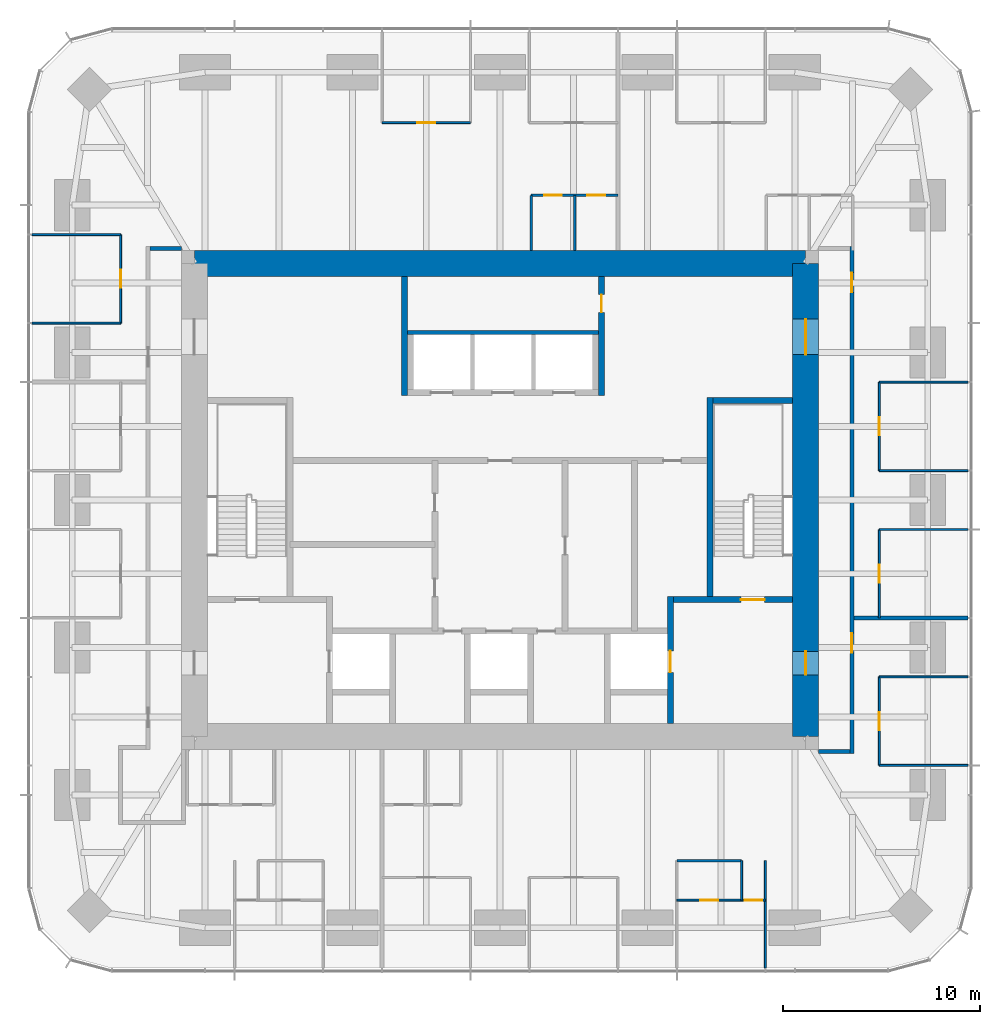
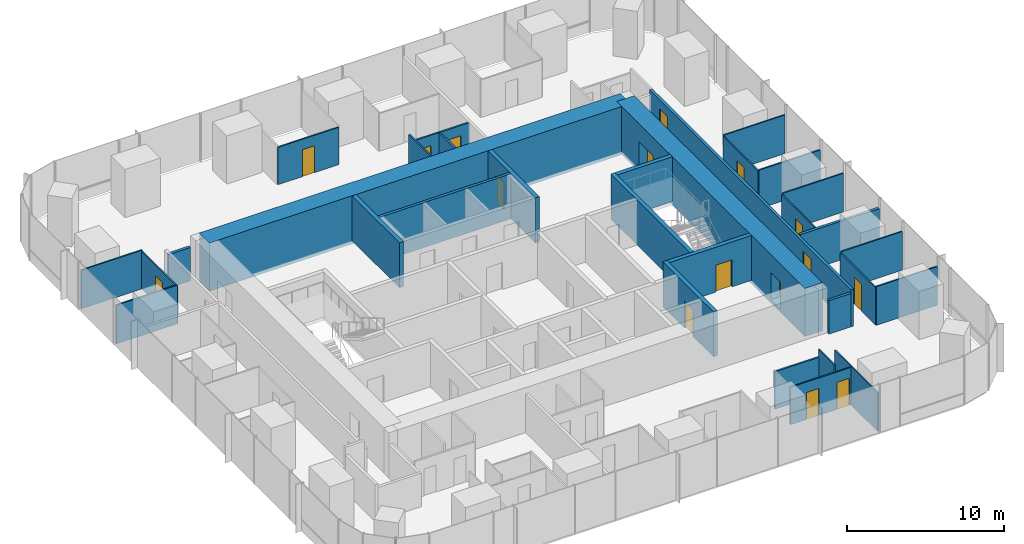
# One storey, part 10 of 12: 32 walls, 16 doors, 16 openings.
"""IFC4 building model written with IfcOpenShell, lengths in metres."""

from ifc_helpers import new_model, si_unit, direction, frame, frame_2d, origin, place, context, subcontext, project, spatial, rectangle, extrude, material, layer, layer_set, type_object, element, fill, save


model = new_model("IFC4")

# Units and contexts
model_context = context("Model", 3, precision=1e-05, world=origin(), true_north=direction((0.0, 1.0)))
body_context = subcontext(model_context, "Body", "Model", "MODEL_VIEW")
ifc_project = project(units=[si_unit("LENGTHUNIT", "METRE"), si_unit("AREAUNIT", "SQUARE_METRE"), si_unit("VOLUMEUNIT", "CUBIC_METRE"), si_unit("PLANEANGLEUNIT", "RADIAN"), si_unit("MASSUNIT", "GRAM", prefix="KILO")], contexts=[model_context])

# Site, building, storey
site_placement = place(None, origin())
site = spatial("IfcSite", under=ifc_project, at=site_placement, CompositionType="ELEMENT")
building_placement = place(site_placement, origin())
building = spatial("IfcBuilding", under=site, at=building_placement, Name="Khuree Lantern Residences", CompositionType="ELEMENT")
storey_placement = place(building_placement, frame((0.0, 0.0, 293.25)))
storey = spatial("IfcBuildingStorey", under=building, at=storey_placement, Name="L73", CompositionType="ELEMENT", Elevation=293.25)

# Wall, openings, doors
ifc_material_1 = material(Name="Moisture-resistant gypsum board on steel studs", Category="steel")
ifc_layer_1 = layer(ifc_material_1, 0.125)
ifc_layer_set_1 = layer_set([ifc_layer_1], Name="BATHROOM WALL BTW125")
wall_type_1 = type_object("IfcWallType", Name="BATHROOM WALL BTW125", PredefinedType="PARTITIONING", material=ifc_layer_set_1)
wall_1_placement = place(storey_placement, frame((5.98388671875, 15.449951171875, 0.0), z_axis=(0.0, 0.0, 1.0), x_axis=(-1.0, 0.0, 0.0)))
wall_1 = element("IfcWall", 1, at=wall_1_placement, inside=storey, type_object=wall_type_1, Name="L73 BATHROOM WALL 02", PredefinedType="PARTITIONING", context=body_context, shape_type="SweptSolid", body=[
    extrude(rectangle(XDim=4.39990234375, YDim=0.125, at=frame_2d((2.199951171875, 0.0))), origin(), (0.0, 0.0, 1.0), 2.909912109375),
])
opening_1_placement = place(wall_1_placement, frame((0.64990234375, 0.0, 0.0)))
opening_1 = element("IfcOpeningElement", 2, at=opening_1_placement, cuts=wall_1, Name="Opening 73-030", PredefinedType="OPENING", context=body_context, shape_type="SweptSolid", body=[
    extrude(rectangle(XDim=0.89990234375, YDim=2.10009765625, at=frame_2d((0.449951171875, 1.050048828125))), frame((0.0, 0.072509765625, 0.0), z_axis=(0.0, -1.0, 0.0), x_axis=(1.0, 0.0, 0.0)), (0.0, 0.0, 1.0), 0.14501953125),
])
opening_2_placement = place(wall_1_placement, frame((2.85009765625, 0.0, 0.0)))
opening_2 = element("IfcOpeningElement", 3, at=opening_2_placement, cuts=wall_1, Name="Opening 73-031", PredefinedType="OPENING", context=body_context, shape_type="SweptSolid", body=[
    extrude(rectangle(XDim=0.89990234375, YDim=2.10009765625, at=frame_2d((0.449951171875, 1.050048828125))), frame((0.0, 0.072509765625, 0.0), z_axis=(0.0, -1.0, 0.0), x_axis=(1.0, 0.0, 0.0)), (0.0, 0.0, 1.0), 0.14501953125),
])
ifc_material_2 = material(Name="Timber door leaf in hardwood frame", Category="wood")
door_type_1 = type_object("IfcDoorType", Name="BATHROOM DOOR 900X2100", OperationType="SINGLE_SWING_LEFT", PredefinedType="DOOR", material=ifc_material_2)
door_1_placement = place(opening_1_placement, origin())
door_1 = element("IfcDoor", 4, at=door_1_placement, inside=storey, type_object=door_type_1, Name="Bathroom door 73-030", OperationType="SINGLE_SWING_LEFT", OverallHeight=2.10009765625, OverallWidth=0.89990234375, PredefinedType="DOOR", context=body_context, shape_type="SweptSolid", body=[
    extrude(rectangle(XDim=0.89990234375, YDim=2.10009765625, at=frame_2d((0.449951171875, 1.050048828125))), frame((0.0, 0.02490234375, 0.0), z_axis=(0.0, -1.0, 0.0), x_axis=(1.0, 0.0, 0.0)), (0.0, 0.0, 1.0), 0.050048828125),
])
fill(opening_1, door_1)
door_2_placement = place(opening_2_placement, origin())
door_2 = element("IfcDoor", 5, at=door_2_placement, inside=storey, type_object=door_type_1, Name="Bathroom door 73-031", OperationType="SINGLE_SWING_LEFT", OverallHeight=2.10009765625, OverallWidth=0.89990234375, PredefinedType="DOOR", context=body_context, shape_type="SweptSolid", body=[
    extrude(rectangle(XDim=0.89990234375, YDim=2.10009765625, at=frame_2d((0.449951171875, 1.050048828125))), frame((0.0, 0.02490234375, 0.0), z_axis=(0.0, -1.0, 0.0), x_axis=(1.0, 0.0, 0.0)), (0.0, 0.0, 1.0), 0.050048828125),
])
fill(opening_2, door_2)

# Walls
wall_2_placement = place(storey_placement, frame((3.783935546875, 12.64990234375, 0.0), z_axis=(0.0, 0.0, 1.0), x_axis=(0.0, 1.0, 0.0)))
element("IfcWall", 6, at=wall_2_placement, inside=storey, type_object=wall_type_1, Name="L73 BATHROOM WALL 02", PredefinedType="PARTITIONING", context=body_context, shape_type="SweptSolid", body=[
    extrude(rectangle(XDim=2.800048828125, YDim=0.125, at=frame_2d((1.39990234375, 0.0))), origin(), (0.0, 0.0, 1.0), 2.909912109375),
])
wall_3_placement = place(storey_placement, frame((1.583984375, 12.64990234375, 0.0), z_axis=(0.0, 0.0, 1.0), x_axis=(0.0, 1.0, 0.0)))
element("IfcWall", 7, at=wall_3_placement, inside=storey, type_object=wall_type_1, Name="L73 BATHROOM WALL 02", PredefinedType="PARTITIONING", context=body_context, shape_type="SweptSolid", body=[
    extrude(rectangle(XDim=2.800048828125, YDim=0.125, at=frame_2d((1.39990234375, 0.0))), origin(), (0.0, 0.0, 1.0), 3.5),
])
wall_4_placement = place(storey_placement, frame((8.97607421875, -18.29638671875, 0.0), z_axis=(0.0, 0.0, 1.0), x_axis=(1.0, 0.0, 0.0)))
element("IfcWall", 8, at=wall_4_placement, inside=storey, type_object=wall_type_1, Name="L73 BATHROOM WALL 04", PredefinedType="PARTITIONING", context=body_context, shape_type="SweptSolid", body=[
    extrude(rectangle(XDim=3.287841796875, YDim=0.125, at=frame_2d((1.64404296875, 0.0))), origin(), (0.0, 0.0, 1.0), 2.909912109375),
])

# Wall, opening, door
ifc_material_3 = material(Name="Dense concrete blockwork", Category="masonry")
ifc_layer_2 = layer(ifc_material_3, 0.300048828125)
ifc_layer_set_2 = layer_set([ifc_layer_2], Name="CORE PARTITION WALL CPW300 EI 120")
wall_type_2 = type_object("IfcWallType", Name="CORE PARTITION WALL CPW300 EI 120", PredefinedType="PARTITIONING", material=ifc_layer_set_2)
wall_5_placement = place(storey_placement, frame((8.64990234375, -11.35009765625, 0.0), z_axis=(0.0, 0.0, 1.0), x_axis=(0.0, 1.0, 0.0)))
wall_5 = element("IfcWall", 9, at=wall_5_placement, inside=storey, type_object=wall_type_2, Name="L73 CORE WALL FL2E", PredefinedType="PARTITIONING", context=body_context, shape_type="SweptSolid", body=[
    extrude(rectangle(XDim=6.4501953125, YDim=0.300048828125, at=frame_2d((3.22509765625, 0.0))), origin(), (0.0, 0.0, 1.0), 3.5),
])
opening_3_placement = place(wall_5_placement, frame((2.60009765625, 0.0, 0.0)))
opening_3 = element("IfcOpeningElement", 10, at=opening_3_placement, cuts=wall_5, Name="Opening 73-008", PredefinedType="OPENING", context=body_context, shape_type="SweptSolid", body=[
    extrude(rectangle(XDim=1.10009765625, YDim=2.10009765625, at=frame_2d((0.550048828125, 1.050048828125))), frame((0.0, 0.16015625, 0.0), z_axis=(0.0, -1.0, 0.0), x_axis=(1.0, 0.0, 0.0)), (0.0, 0.0, 1.0), 0.320068359375),
])
ifc_material_4 = material(Name="Stainless steel lift landing door", Category="steel")
door_type_2 = type_object("IfcDoorType", Name="LIFT LANDING DOOR 1100X2100 E 120", OperationType="DOUBLE_DOOR_SLIDING", PredefinedType="DOOR", material=ifc_material_4)
door_3_placement = place(opening_3_placement, origin())
door_3 = element("IfcDoor", 11, at=door_3_placement, inside=storey, type_object=door_type_2, Name="Landing door FL2 73-008", OperationType="DOUBLE_DOOR_SLIDING", OverallHeight=2.10009765625, OverallWidth=1.10009765625, PredefinedType="DOOR", context=body_context, shape_type="SweptSolid", body=[
    extrude(rectangle(XDim=1.10009765625, YDim=2.10009765625, at=frame_2d((0.550048828125, 1.050048828125))), frame((0.0, 0.02490234375, 0.0), z_axis=(0.0, -1.0, 0.0), x_axis=(1.0, 0.0, 0.0)), (0.0, 0.0, 1.0), 0.050048828125),
])
fill(opening_3, door_3)

# Wall
wall_6_placement = place(storey_placement, frame((-4.85009765625, 5.300048828125, 0.0), z_axis=(0.0, 0.0, 1.0), x_axis=(0.0, 1.0, 0.0)))
element("IfcWall", 12, at=wall_6_placement, inside=storey, type_object=wall_type_2, Name="L73 CORE WALL NW", PredefinedType="PARTITIONING", context=body_context, shape_type="SweptSolid", body=[
    extrude(rectangle(XDim=6.050048828125, YDim=0.300048828125, at=frame_2d((3.02490234375, 0.0))), origin(), (0.0, 0.0, 1.0), 3.5),
])

# Wall, opening, door
wall_7_placement = place(storey_placement, frame((5.14990234375, 5.300048828125, 0.0), z_axis=(0.0, 0.0, 1.0), x_axis=(0.0, 1.0, 0.0)))
wall_7 = element("IfcWall", 13, at=wall_7_placement, inside=storey, type_object=wall_type_2, Name="L73 CORE WALL NE", PredefinedType="PARTITIONING", context=body_context, shape_type="SweptSolid", body=[
    extrude(rectangle(XDim=6.050048828125, YDim=0.300048828125, at=frame_2d((3.02490234375, 0.0))), origin(), (0.0, 0.0, 1.0), 3.5),
])
opening_4_placement = place(wall_7_placement, frame((4.22509765625, 0.0, 0.0)))
opening_4 = element("IfcOpeningElement", 14, at=opening_4_placement, cuts=wall_7, Name="Opening 73-020", PredefinedType="OPENING", context=body_context, shape_type="SweptSolid", body=[
    extrude(rectangle(XDim=0.89990234375, YDim=2.10009765625, at=frame_2d((0.449951171875, 1.050048828125))), frame((0.0, 0.16015625, 0.0), z_axis=(0.0, -1.0, 0.0), x_axis=(1.0, 0.0, 0.0)), (0.0, 0.0, 1.0), 0.320068359375),
])
door_type_3 = type_object("IfcDoorType", Name="DOOR 900X2100", OperationType="SINGLE_SWING_LEFT", PredefinedType="DOOR", material=ifc_material_2)
door_4_placement = place(opening_4_placement, origin())
door_4 = element("IfcDoor", 15, at=door_4_placement, inside=storey, type_object=door_type_3, Name="Residents' store door 73-020", OperationType="SINGLE_SWING_LEFT", OverallHeight=2.10009765625, OverallWidth=0.89990234375, PredefinedType="DOOR", context=body_context, shape_type="SweptSolid", body=[
    extrude(rectangle(XDim=0.89990234375, YDim=2.10009765625, at=frame_2d((0.449951171875, 1.050048828125))), frame((0.0, 0.02490234375, 0.0), z_axis=(0.0, -1.0, 0.0), x_axis=(1.0, 0.0, 0.0)), (0.0, 0.0, 1.0), 0.050048828125),
])
fill(opening_4, door_4)

# Walls
ifc_material_5 = material(Name="Gypsum board on steel studs", Category="steel")
ifc_layer_3 = layer(ifc_material_5, 0.199951171875)
ifc_layer_set_3 = layer_set([ifc_layer_3], Name="CORRIDOR WALL CRW200 EI 60")
wall_type_3 = type_object("IfcWallType", Name="CORRIDOR WALL CRW200 EI 60", PredefinedType="PARTITIONING", material=ifc_layer_set_3)
for number, where, z_axis, x_axis, name in (
    (16, (16.14990234375, -12.75, 0.0), (0.0, 0.0, 1.0), (1.0, 0.0, 0.0), "L73 EAST CORRIDOR SOUTH END WALL"),
    (17, (-16.14990234375, 12.75, 0.0), (0.0, 0.0, 1.0), (-1.0, 0.0, 0.0), "L73 WEST CORRIDOR NORTH END WALL"),
):
    element("IfcWall", number, at=place(storey_placement, frame(where, z_axis=z_axis, x_axis=x_axis)), inside=storey, type_object=wall_type_3, Name=name, PredefinedType="PARTITIONING", context=body_context, shape_type="SweptSolid", body=[
        extrude(rectangle(XDim=1.60009765625, YDim=0.199951171875, at=frame_2d((0.800048828125, 0.0))), origin(), (0.0, 0.0, 1.0), 2.60009765625),
    ])

# Wall, openings, doors
wall_8_placement = place(storey_placement, frame((17.85009765625, -12.85009765625, 0.0), z_axis=(0.0, 0.0, 1.0), x_axis=(0.0, 1.0, 0.0)))
wall_8 = element("IfcWall", 18, at=wall_8_placement, inside=storey, type_object=wall_type_3, Name="L73 CORRIDOR WALL EAST 1", PredefinedType="PARTITIONING", context=body_context, shape_type="SweptSolid", body=[
    extrude(rectangle(XDim=25.7001953125, YDim=0.199951171875, at=frame_2d((12.85009765625, 0.0))), origin(), (0.0, 0.0, 1.0), 2.89990234375),
])
opening_5_placement = place(wall_8_placement, frame((23.385986328125, 0.0, 0.0)))
opening_5 = element("IfcOpeningElement", 19, at=opening_5_placement, cuts=wall_8, Name="Opening 73-026", PredefinedType="OPENING", context=body_context, shape_type="SweptSolid", body=[
    extrude(rectangle(XDim=1.0, YDim=2.199951171875, at=frame_2d((0.5, 1.10009765625))), frame((0.0, 0.10986328125, 0.0), z_axis=(0.0, -1.0, 0.0), x_axis=(1.0, 0.0, 0.0)), (0.0, 0.0, 1.0), 0.219970703125),
])
opening_6_placement = place(wall_8_placement, frame((5.10009765625, 0.0, 0.0)))
opening_6 = element("IfcOpeningElement", 20, at=opening_6_placement, cuts=wall_8, Name="Opening 73-047", PredefinedType="OPENING", context=body_context, shape_type="SweptSolid", body=[
    extrude(rectangle(XDim=1.0, YDim=2.199951171875, at=frame_2d((0.5, 1.10009765625))), frame((0.0, 0.10986328125, 0.0), z_axis=(0.0, -1.0, 0.0), x_axis=(1.0, 0.0, 0.0)), (0.0, 0.0, 1.0), 0.219970703125),
])
door_type_4 = type_object("IfcDoorType", Name="APARTMENT ENTRANCE DOOR 1000X2200 EI 30S", OperationType="SINGLE_SWING_LEFT", PredefinedType="DOOR", material=ifc_material_2)
door_5_placement = place(opening_6_placement, origin())
door_5 = element("IfcDoor", 21, at=door_5_placement, inside=storey, type_object=door_type_4, Name="Apartment 04 entrance door 73-047", OperationType="SINGLE_SWING_LEFT", OverallHeight=2.199951171875, OverallWidth=1.0, PredefinedType="DOOR", context=body_context, shape_type="SweptSolid", body=[
    extrude(rectangle(XDim=1.0, YDim=2.199951171875, at=frame_2d((0.5, 1.10009765625))), frame((0.0, 0.02490234375, 0.0), z_axis=(0.0, -1.0, 0.0), x_axis=(1.0, 0.0, 0.0)), (0.0, 0.0, 1.0), 0.050048828125),
])
fill(opening_6, door_5)
door_type_5 = type_object("IfcDoorType", Name="APARTMENT ENTRANCE DOOR 1000X2200 EI 30S RIGHT HAND", OperationType="SINGLE_SWING_RIGHT", PredefinedType="DOOR", material=ifc_material_2)
door_6_placement = place(opening_5_placement, origin())
door_6 = element("IfcDoor", 22, at=door_6_placement, inside=storey, type_object=door_type_5, Name="Apartment 01 entrance door 73-026", OperationType="SINGLE_SWING_RIGHT", OverallHeight=2.199951171875, OverallWidth=1.0, PredefinedType="DOOR", context=body_context, shape_type="SweptSolid", body=[
    extrude(rectangle(XDim=1.0, YDim=2.199951171875, at=frame_2d((0.5, 1.10009765625))), frame((0.0, 0.02490234375, 0.0), z_axis=(0.0, -1.0, 0.0), x_axis=(1.0, 0.0, 0.0)), (0.0, 0.0, 1.0), 0.050048828125),
])
fill(opening_5, door_6)

ifc_material_6 = material(Name="Concrete C50/60", Category="concrete")
ifc_layer_4 = layer(ifc_material_6, 1.300048828125)
ifc_layer_set_4 = layer_set([ifc_layer_4], Name="CW1300-C50 CORE WALL C50 1300")
wall_type_4 = type_object("IfcWallType", Name="CW1300-C50 CORE WALL C50 1300", PredefinedType="SHEAR", material=ifc_layer_set_4)
wall_9_placement = place(storey_placement, frame((15.5, -12.0, -0.25), z_axis=(0.0, 0.0, 1.0), x_axis=(0.0, 1.0, 0.0)))
wall_9 = element("IfcWall", 23, at=wall_9_placement, inside=storey, type_object=wall_type_4, Name="Core wall E", PredefinedType="SHEAR", context=body_context, shape_type="SweptSolid", body=[
    extrude(rectangle(XDim=24.0, YDim=1.300048828125, at=frame_2d((12.0, 0.0))), origin(), (0.0, 0.0, 1.0), 3.75),
])
opening_7_placement = place(wall_9_placement, frame((3.125, 0.0, 0.25)))
opening_7 = element("IfcOpeningElement", 24, at=opening_7_placement, cuts=wall_9, Name="Opening 73-005", PredefinedType="OPENING", context=body_context, shape_type="SweptSolid", body=[
    extrude(rectangle(XDim=1.199951171875, YDim=2.10009765625, at=frame_2d((0.60009765625, 1.050048828125))), frame((0.0, 0.66015625, 0.0), z_axis=(0.0, -1.0, 0.0), x_axis=(1.0, 0.0, 0.0)), (0.0, 0.0, 1.0), 1.320068359375),
])
opening_8_placement = place(wall_9_placement, frame((19.375, 0.0, 0.25)))
opening_8 = element("IfcOpeningElement", 25, at=opening_8_placement, cuts=wall_9, Name="Opening 73-006", PredefinedType="OPENING", context=body_context, shape_type="SweptSolid", body=[
    extrude(rectangle(XDim=1.800048828125, YDim=2.10009765625, at=frame_2d((0.89990234375, 1.050048828125))), frame((0.0, 0.66015625, 0.0), z_axis=(0.0, -1.0, 0.0), x_axis=(1.0, 0.0, 0.0)), (0.0, 0.0, 1.0), 1.320068359375),
])
ifc_material_7 = material(Name="Steel door leaf in steel frame", Category="steel")
door_type_6 = type_object("IfcDoorType", Name="LOBBY DOOR 1200X2100 EI 120", OperationType="SINGLE_SWING_LEFT", PredefinedType="DOOR", material=ifc_material_7)
door_7_placement = place(opening_7_placement, origin())
door_7 = element("IfcDoor", 26, at=door_7_placement, inside=storey, type_object=door_type_6, Name="Firefighting lobby door 73-005", OperationType="SINGLE_SWING_LEFT", OverallHeight=2.10009765625, OverallWidth=1.199951171875, PredefinedType="DOOR", context=body_context, shape_type="SweptSolid", body=[
    extrude(rectangle(XDim=1.199951171875, YDim=2.10009765625, at=frame_2d((0.60009765625, 1.050048828125))), frame((0.0, 0.02490234375, 0.0), z_axis=(0.0, -1.0, 0.0), x_axis=(1.0, 0.0, 0.0)), (0.0, 0.0, 1.0), 0.050048828125),
])
fill(opening_7, door_7)
door_type_7 = type_object("IfcDoorType", Name="LOBBY DOUBLE DOOR 1800X2100 EI 60", OperationType="DOUBLE_DOOR_SINGLE_SWING", PredefinedType="DOOR", material=ifc_material_7)
door_8_placement = place(opening_8_placement, origin())
door_8 = element("IfcDoor", 27, at=door_8_placement, inside=storey, type_object=door_type_7, Name="Lift lobby door 73-006", OperationType="DOUBLE_DOOR_SINGLE_SWING", OverallHeight=2.10009765625, OverallWidth=1.800048828125, PredefinedType="DOOR", context=body_context, shape_type="SweptSolid", body=[
    extrude(rectangle(XDim=1.800048828125, YDim=2.10009765625, at=frame_2d((0.89990234375, 1.050048828125))), frame((0.0, 0.02490234375, 0.0), z_axis=(0.0, -1.0, 0.0), x_axis=(1.0, 0.0, 0.0)), (0.0, 0.0, 1.0), 0.050048828125),
])
fill(opening_8, door_8)

# Walls
wall_10_placement = place(storey_placement, frame((-15.5, 12.0, -0.25), z_axis=(0.0, 0.0, 1.0), x_axis=(1.0, 0.0, 0.0)))
element("IfcWall", 28, at=wall_10_placement, inside=storey, type_object=wall_type_4, Name="Core wall N", PredefinedType="SHEAR", context=body_context, shape_type="SweptSolid", body=[
    extrude(rectangle(XDim=31.0, YDim=1.300048828125, at=frame_2d((15.5, 0.0))), origin(), (0.0, 0.0, 1.0), 3.75),
])
ifc_layer_5 = layer(ifc_material_5, 0.199951171875)
ifc_layer_set_5 = layer_set([ifc_layer_5], Name="DEMISING WALL DMW200 EI 90")
wall_type_5 = type_object("IfcWallType", Name="DEMISING WALL DMW200 EI 90", PredefinedType="PARTITIONING", material=ifc_layer_set_5)
wall_11_placement = place(storey_placement, frame((17.949951171875, -5.98388671875, 0.0), z_axis=(0.0, 0.0, 1.0), x_axis=(1.0, 0.0, 0.0)))
element("IfcWall", 29, at=wall_11_placement, inside=storey, type_object=wall_type_5, Name="L73 DEMISING WALL 01", PredefinedType="PARTITIONING", context=body_context, shape_type="SweptSolid", body=[
    extrude(rectangle(XDim=5.800048828125, YDim=0.199951171875, at=frame_2d((2.89990234375, 0.0))), origin(), (0.0, 0.0, 1.0), 3.010009765625),
])
ifc_layer_6 = layer(ifc_material_5, 0.10009765625)
ifc_layer_set_6 = layer_set([ifc_layer_6], Name="PARTITION PT100")
wall_type_6 = type_object("IfcWallType", Name="PARTITION PT100", PredefinedType="PARTITIONING", material=ifc_layer_set_6)
for number, where, z_axis, x_axis, name in (
    (30, (19.25, -1.49609375, 0.0), (0.0, 0.0, 1.0), (1.0, 0.0, 0.0), "L73 PARTITION 01"),
    (31, (19.25, 1.49609375, 0.0), (0.0, 0.0, 1.0), (1.0, 0.0, 0.0), "L73 PARTITION 01"),
    (32, (19.25, 5.98388671875, 0.0), (0.0, 0.0, 1.0), (1.0, 0.0, 0.0), "L73 PARTITION 01"),
    (33, (-19.25, 13.464111328125, 0.0), (0.0, 0.0, 1.0), (-1.0, 0.0, 0.0), "L73 PARTITION 02"),
    (34, (-19.25, 8.97607421875, 0.0), (0.0, 0.0, 1.0), (-1.0, 0.0, 0.0), "L73 PARTITION 02"),
):
    element("IfcWall", number, at=place(storey_placement, frame(where, z_axis=z_axis, x_axis=x_axis)), inside=storey, type_object=wall_type_6, Name=name, PredefinedType="PARTITIONING", context=body_context, shape_type="SweptSolid", body=[
        extrude(rectangle(XDim=4.5, YDim=0.10009765625, at=frame_2d((2.25, 0.0))), origin(), (0.0, 0.0, 1.0), 3.010009765625),
    ])
wall_12_placement = place(storey_placement, frame((13.464111328125, -18.29638671875, 0.0), z_axis=(0.0, 0.0, 1.0), x_axis=(0.0, -1.0, 0.0)))
element("IfcWall", 35, at=wall_12_placement, inside=storey, type_object=wall_type_6, Name="L73 PARTITION 04", PredefinedType="PARTITIONING", context=body_context, shape_type="SweptSolid", body=[
    extrude(rectangle(XDim=5.45361328125, YDim=0.10009765625, at=frame_2d((2.726806640625, 0.0))), origin(), (0.0, 0.0, 1.0), 3.010009765625),
])
for number, where, z_axis, x_axis, name in (
    (36, (19.25, -13.464111328125, 0.0), (0.0, 0.0, 1.0), (1.0, 0.0, 0.0), "L73 PARTITION 04"),
    (37, (19.25, -8.97607421875, 0.0), (0.0, 0.0, 1.0), (1.0, 0.0, 0.0), "L73 PARTITION 04"),
):
    element("IfcWall", number, at=place(storey_placement, frame(where, z_axis=z_axis, x_axis=x_axis)), inside=storey, type_object=wall_type_6, Name=name, PredefinedType="PARTITIONING", context=body_context, shape_type="SweptSolid", body=[
        extrude(rectangle(XDim=4.5, YDim=0.10009765625, at=frame_2d((2.25, 0.0))), origin(), (0.0, 0.0, 1.0), 3.010009765625),
    ])

# Wall, opening, door
wall_13_placement = place(storey_placement, frame((19.25, -5.98388671875, 0.0), z_axis=(0.0, 0.0, 1.0), x_axis=(0.0, 1.0, 0.0)))
wall_13 = element("IfcWall", 38, at=wall_13_placement, inside=storey, type_object=wall_type_6, Name="L73 PARTITION 01", PredefinedType="PARTITIONING", context=body_context, shape_type="SweptSolid", body=[
    extrude(rectangle(XDim=4.48779296875, YDim=0.10009765625, at=frame_2d((2.243896484375, 0.0))), origin(), (0.0, 0.0, 1.0), 2.909912109375),
])
opening_9_placement = place(wall_13_placement, frame((1.7939453125, 0.0, 0.0)))
opening_9 = element("IfcOpeningElement", 39, at=opening_9_placement, cuts=wall_13, Name="Opening 73-021", PredefinedType="OPENING", context=body_context, shape_type="SweptSolid", body=[
    extrude(rectangle(XDim=0.89990234375, YDim=2.10009765625, at=frame_2d((0.449951171875, 1.050048828125))), frame((0.0, 0.06005859375, 0.0), z_axis=(0.0, -1.0, 0.0), x_axis=(1.0, 0.0, 0.0)), (0.0, 0.0, 1.0), 0.1201171875),
])
door_type_8 = type_object("IfcDoorType", Name="BEDROOM DOOR 900X2100", OperationType="SINGLE_SWING_LEFT", PredefinedType="DOOR", material=ifc_material_2)
door_9_placement = place(opening_9_placement, origin())
door_9 = element("IfcDoor", 40, at=door_9_placement, inside=storey, type_object=door_type_8, Name="Bedroom door 73-021", OperationType="SINGLE_SWING_LEFT", OverallHeight=2.10009765625, OverallWidth=0.89990234375, PredefinedType="DOOR", context=body_context, shape_type="SweptSolid", body=[
    extrude(rectangle(XDim=0.89990234375, YDim=2.10009765625, at=frame_2d((0.449951171875, 1.050048828125))), frame((0.0, 0.02490234375, 0.0), z_axis=(0.0, -1.0, 0.0), x_axis=(1.0, 0.0, 0.0)), (0.0, 0.0, 1.0), 0.050048828125),
])
fill(opening_9, door_9)

wall_14_placement = place(storey_placement, frame((19.25, 1.49609375, 0.0), z_axis=(0.0, 0.0, 1.0), x_axis=(0.0, 1.0, 0.0)))
wall_14 = element("IfcWall", 41, at=wall_14_placement, inside=storey, type_object=wall_type_6, Name="L73 PARTITION 01", PredefinedType="PARTITIONING", context=body_context, shape_type="SweptSolid", body=[
    extrude(rectangle(XDim=4.48779296875, YDim=0.10009765625, at=frame_2d((2.243896484375, 0.0))), origin(), (0.0, 0.0, 1.0), 2.909912109375),
])
opening_10_placement = place(wall_14_placement, frame((1.7939453125, 0.0, 0.0)))
opening_10 = element("IfcOpeningElement", 42, at=opening_10_placement, cuts=wall_14, Name="Opening 73-022", PredefinedType="OPENING", context=body_context, shape_type="SweptSolid", body=[
    extrude(rectangle(XDim=0.89990234375, YDim=2.10009765625, at=frame_2d((0.449951171875, 1.050048828125))), frame((0.0, 0.06005859375, 0.0), z_axis=(0.0, -1.0, 0.0), x_axis=(1.0, 0.0, 0.0)), (0.0, 0.0, 1.0), 0.1201171875),
])
door_10_placement = place(opening_10_placement, origin())
door_10 = element("IfcDoor", 43, at=door_10_placement, inside=storey, type_object=door_type_8, Name="Bedroom door 73-022", OperationType="SINGLE_SWING_LEFT", OverallHeight=2.10009765625, OverallWidth=0.89990234375, PredefinedType="DOOR", context=body_context, shape_type="SweptSolid", body=[
    extrude(rectangle(XDim=0.89990234375, YDim=2.10009765625, at=frame_2d((0.449951171875, 1.050048828125))), frame((0.0, 0.02490234375, 0.0), z_axis=(0.0, -1.0, 0.0), x_axis=(1.0, 0.0, 0.0)), (0.0, 0.0, 1.0), 0.050048828125),
])
fill(opening_10, door_10)

wall_15_placement = place(storey_placement, frame((-1.49609375, 19.14990234375, 0.0), z_axis=(0.0, 0.0, 1.0), x_axis=(-1.0, 0.0, 0.0)))
wall_15 = element("IfcWall", 44, at=wall_15_placement, inside=storey, type_object=wall_type_6, Name="L73 PARTITION 02", PredefinedType="PARTITIONING", context=body_context, shape_type="SweptSolid", body=[
    extrude(rectangle(XDim=4.48779296875, YDim=0.10009765625, at=frame_2d((2.243896484375, 0.0))), origin(), (0.0, 0.0, 1.0), 2.909912109375),
])
opening_11_placement = place(wall_15_placement, frame((1.7939453125, 0.0, 0.0)))
opening_11 = element("IfcOpeningElement", 45, at=opening_11_placement, cuts=wall_15, Name="Opening 73-028", PredefinedType="OPENING", context=body_context, shape_type="SweptSolid", body=[
    extrude(rectangle(XDim=0.89990234375, YDim=2.10009765625, at=frame_2d((0.449951171875, 1.050048828125))), frame((0.0, 0.06005859375, 0.0), z_axis=(0.0, -1.0, 0.0), x_axis=(1.0, 0.0, 0.0)), (0.0, 0.0, 1.0), 0.1201171875),
])
door_11_placement = place(opening_11_placement, origin())
door_11 = element("IfcDoor", 46, at=door_11_placement, inside=storey, type_object=door_type_8, Name="Bedroom door 73-028", OperationType="SINGLE_SWING_LEFT", OverallHeight=2.10009765625, OverallWidth=0.89990234375, PredefinedType="DOOR", context=body_context, shape_type="SweptSolid", body=[
    extrude(rectangle(XDim=0.89990234375, YDim=2.10009765625, at=frame_2d((0.449951171875, 1.050048828125))), frame((0.0, 0.02490234375, 0.0), z_axis=(0.0, -1.0, 0.0), x_axis=(1.0, 0.0, 0.0)), (0.0, 0.0, 1.0), 0.050048828125),
])
fill(opening_11, door_11)

wall_16_placement = place(storey_placement, frame((-19.25, 13.464111328125, 0.0), z_axis=(0.0, 0.0, 1.0), x_axis=(0.0, -1.0, 0.0)))
wall_16 = element("IfcWall", 47, at=wall_16_placement, inside=storey, type_object=wall_type_6, Name="L73 PARTITION 02", PredefinedType="PARTITIONING", context=body_context, shape_type="SweptSolid", body=[
    extrude(rectangle(XDim=4.488037109375, YDim=0.10009765625, at=frame_2d((2.244140625, 0.0))), origin(), (0.0, 0.0, 1.0), 2.909912109375),
])
opening_12_placement = place(wall_16_placement, frame((1.7939453125, 0.0, 0.0)))
opening_12 = element("IfcOpeningElement", 48, at=opening_12_placement, cuts=wall_16, Name="Opening 73-029", PredefinedType="OPENING", context=body_context, shape_type="SweptSolid", body=[
    extrude(rectangle(XDim=0.89990234375, YDim=2.10009765625, at=frame_2d((0.449951171875, 1.050048828125))), frame((0.0, 0.06005859375, 0.0), z_axis=(0.0, -1.0, 0.0), x_axis=(1.0, 0.0, 0.0)), (0.0, 0.0, 1.0), 0.1201171875),
])
door_12_placement = place(opening_12_placement, origin())
door_12 = element("IfcDoor", 49, at=door_12_placement, inside=storey, type_object=door_type_8, Name="Bedroom door 73-029", OperationType="SINGLE_SWING_LEFT", OverallHeight=2.10009765625, OverallWidth=0.89990234375, PredefinedType="DOOR", context=body_context, shape_type="SweptSolid", body=[
    extrude(rectangle(XDim=0.89990234375, YDim=2.10009765625, at=frame_2d((0.449951171875, 1.050048828125))), frame((0.0, 0.02490234375, 0.0), z_axis=(0.0, -1.0, 0.0), x_axis=(1.0, 0.0, 0.0)), (0.0, 0.0, 1.0), 0.050048828125),
])
fill(opening_12, door_12)

# Wall, openings, doors
wall_17_placement = place(storey_placement, frame((8.97607421875, -20.29638671875, 0.0), z_axis=(0.0, 0.0, 1.0), x_axis=(1.0, 0.0, 0.0)))
wall_17 = element("IfcWall", 50, at=wall_17_placement, inside=storey, type_object=wall_type_6, Name="L73 PARTITION 04", PredefinedType="PARTITIONING", context=body_context, shape_type="SweptSolid", body=[
    extrude(rectangle(XDim=4.488037109375, YDim=0.10009765625, at=frame_2d((2.244140625, 0.0))), origin(), (0.0, 0.0, 1.0), 2.909912109375),
])
opening_13_placement = place(wall_17_placement, frame((3.43798828125, 0.0, 0.0)))
opening_13 = element("IfcOpeningElement", 51, at=opening_13_placement, cuts=wall_17, Name="Opening 73-042", PredefinedType="OPENING", context=body_context, shape_type="SweptSolid", body=[
    extrude(rectangle(XDim=0.89990234375, YDim=2.10009765625, at=frame_2d((0.449951171875, 1.050048828125))), frame((0.0, 0.06005859375, 0.0), z_axis=(0.0, -1.0, 0.0), x_axis=(1.0, 0.0, 0.0)), (0.0, 0.0, 1.0), 0.1201171875),
])
opening_14_placement = place(wall_17_placement, frame((1.194091796875, 0.0, 0.0)))
opening_14 = element("IfcOpeningElement", 52, at=opening_14_placement, cuts=wall_17, Name="Opening 73-043", PredefinedType="OPENING", context=body_context, shape_type="SweptSolid", body=[
    extrude(rectangle(XDim=0.89990234375, YDim=2.10009765625, at=frame_2d((0.449951171875, 1.050048828125))), frame((0.0, 0.06005859375, 0.0), z_axis=(0.0, -1.0, 0.0), x_axis=(1.0, 0.0, 0.0)), (0.0, 0.0, 1.0), 0.1201171875),
])
door_13_placement = place(opening_14_placement, origin())
door_13 = element("IfcDoor", 53, at=door_13_placement, inside=storey, type_object=door_type_1, Name="Bathroom door 73-043", OperationType="SINGLE_SWING_LEFT", OverallHeight=2.10009765625, OverallWidth=0.89990234375, PredefinedType="DOOR", context=body_context, shape_type="SweptSolid", body=[
    extrude(rectangle(XDim=0.89990234375, YDim=2.10009765625, at=frame_2d((0.449951171875, 1.050048828125))), frame((0.0, 0.02490234375, 0.0), z_axis=(0.0, -1.0, 0.0), x_axis=(1.0, 0.0, 0.0)), (0.0, 0.0, 1.0), 0.050048828125),
])
fill(opening_14, door_13)
door_14_placement = place(opening_13_placement, origin())
door_14 = element("IfcDoor", 54, at=door_14_placement, inside=storey, type_object=door_type_8, Name="Bedroom door 73-042", OperationType="SINGLE_SWING_LEFT", OverallHeight=2.10009765625, OverallWidth=0.89990234375, PredefinedType="DOOR", context=body_context, shape_type="SweptSolid", body=[
    extrude(rectangle(XDim=0.89990234375, YDim=2.10009765625, at=frame_2d((0.449951171875, 1.050048828125))), frame((0.0, 0.02490234375, 0.0), z_axis=(0.0, -1.0, 0.0), x_axis=(1.0, 0.0, 0.0)), (0.0, 0.0, 1.0), 0.050048828125),
])
fill(opening_13, door_14)

# Wall
wall_18_placement = place(storey_placement, frame((12.263916015625, -18.29638671875, 0.0), z_axis=(0.0, 0.0, 1.0), x_axis=(0.0, -1.0, 0.0)))
element("IfcWall", 55, at=wall_18_placement, inside=storey, type_object=wall_type_6, Name="L73 PARTITION 04", PredefinedType="PARTITIONING", context=body_context, shape_type="SweptSolid", body=[
    extrude(rectangle(XDim=2.0, YDim=0.10009765625, at=frame_2d((1.0, 0.0))), origin(), (0.0, 0.0, 1.0), 3.5),
])

# Wall, opening, door
wall_19_placement = place(storey_placement, frame((19.25, -13.464111328125, 0.0), z_axis=(0.0, 0.0, 1.0), x_axis=(0.0, 1.0, 0.0)))
wall_19 = element("IfcWall", 56, at=wall_19_placement, inside=storey, type_object=wall_type_6, Name="L73 PARTITION 04", PredefinedType="PARTITIONING", context=body_context, shape_type="SweptSolid", body=[
    extrude(rectangle(XDim=4.488037109375, YDim=0.10009765625, at=frame_2d((2.244140625, 0.0))), origin(), (0.0, 0.0, 1.0), 2.909912109375),
])
opening_15_placement = place(wall_19_placement, frame((1.7939453125, 0.0, 0.0)))
opening_15 = element("IfcOpeningElement", 57, at=opening_15_placement, cuts=wall_19, Name="Opening 73-044", PredefinedType="OPENING", context=body_context, shape_type="SweptSolid", body=[
    extrude(rectangle(XDim=0.89990234375, YDim=2.10009765625, at=frame_2d((0.449951171875, 1.050048828125))), frame((0.0, 0.06005859375, 0.0), z_axis=(0.0, -1.0, 0.0), x_axis=(1.0, 0.0, 0.0)), (0.0, 0.0, 1.0), 0.1201171875),
])
door_15_placement = place(opening_15_placement, origin())
door_15 = element("IfcDoor", 58, at=door_15_placement, inside=storey, type_object=door_type_8, Name="Bedroom door 73-044", OperationType="SINGLE_SWING_LEFT", OverallHeight=2.10009765625, OverallWidth=0.89990234375, PredefinedType="DOOR", context=body_context, shape_type="SweptSolid", body=[
    extrude(rectangle(XDim=0.89990234375, YDim=2.10009765625, at=frame_2d((0.449951171875, 1.050048828125))), frame((0.0, 0.02490234375, 0.0), z_axis=(0.0, -1.0, 0.0), x_axis=(1.0, 0.0, 0.0)), (0.0, 0.0, 1.0), 0.050048828125),
])
fill(opening_15, door_15)

# Walls
ifc_layer_7 = layer(ifc_material_3, 0.199951171875)
ifc_layer_set_7 = layer_set([ifc_layer_7], Name="SHAFT WALL SHW200 EI 120")
wall_type_7 = type_object("IfcWallType", Name="SHAFT WALL SHW200 EI 120", PredefinedType="PARTITIONING", material=ifc_layer_set_7)
wall_20_placement = place(storey_placement, frame((-4.699951171875, 8.5, 0.0), z_axis=(0.0, 0.0, 1.0), x_axis=(1.0, 0.0, 0.0)))
element("IfcWall", 59, at=wall_20_placement, inside=storey, type_object=wall_type_7, Name="L73 CORE WALL PHN", PredefinedType="PARTITIONING", context=body_context, shape_type="SweptSolid", body=[
    extrude(rectangle(XDim=9.699951171875, YDim=0.199951171875, at=frame_2d((4.85009765625, 0.0))), origin(), (0.0, 0.0, 1.0), 3.5),
])
ifc_layer_8 = layer(ifc_material_6, 0.300048828125)
ifc_layer_set_8 = layer_set([ifc_layer_8], Name="STAIR WALL SRW300 C50/60 REI 240")
wall_type_8 = type_object("IfcWallType", Name="STAIR WALL SRW300 C50/60 REI 240", PredefinedType="SOLIDWALL", material=ifc_layer_set_8)
wall_21_placement = place(storey_placement, frame((10.64990234375, -4.89990234375, 0.0), z_axis=(0.0, 0.0, 1.0), x_axis=(0.0, 1.0, 0.0)))
element("IfcWall", 60, at=wall_21_placement, inside=storey, type_object=wall_type_8, Name="L73 STAIR WALL ST2E", PredefinedType="SOLIDWALL", context=body_context, shape_type="SweptSolid", body=[
    extrude(rectangle(XDim=10.099853515625, YDim=0.300048828125, at=frame_2d((5.0498046875, 0.0))), origin(), (0.0, 0.0, 1.0), 3.5),
])

# Wall, opening, door
wall_22_placement = place(storey_placement, frame((14.85009765625, -5.050048828125, 0.0), z_axis=(0.0, 0.0, 1.0), x_axis=(-1.0, 0.0, 0.0)))
wall_22 = element("IfcWall", 61, at=wall_22_placement, inside=storey, type_object=wall_type_8, Name="L73 STAIR WALL ST2S", PredefinedType="SOLIDWALL", context=body_context, shape_type="SweptSolid", body=[
    extrude(rectangle(XDim=6.050048828125, YDim=0.300048828125, at=frame_2d((3.02490234375, 0.0))), origin(), (0.0, 0.0, 1.0), 3.5),
])
opening_16_placement = place(wall_22_placement, frame((1.425048828125, 0.0, 0.0)))
opening_16 = element("IfcOpeningElement", 62, at=opening_16_placement, cuts=wall_22, Name="Opening 73-004", PredefinedType="OPENING", context=body_context, shape_type="SweptSolid", body=[
    extrude(rectangle(XDim=1.199951171875, YDim=2.10009765625, at=frame_2d((0.60009765625, 1.050048828125))), frame((0.0, 0.16015625, 0.0), z_axis=(0.0, -1.0, 0.0), x_axis=(1.0, 0.0, 0.0)), (0.0, 0.0, 1.0), 0.320068359375),
])
door_type_9 = type_object("IfcDoorType", Name="STAIR DOOR 1200X2100 EI 120", OperationType="SINGLE_SWING_LEFT", PredefinedType="DOOR", material=ifc_material_7)
door_16_placement = place(opening_16_placement, origin())
door_16 = element("IfcDoor", 63, at=door_16_placement, inside=storey, type_object=door_type_9, Name="Stair ST2 door 73-004", OperationType="SINGLE_SWING_LEFT", OverallHeight=2.10009765625, OverallWidth=1.199951171875, PredefinedType="DOOR", context=body_context, shape_type="SweptSolid", body=[
    extrude(rectangle(XDim=1.199951171875, YDim=2.10009765625, at=frame_2d((0.60009765625, 1.050048828125))), frame((0.0, 0.02490234375, 0.0), z_axis=(0.0, -1.0, 0.0), x_axis=(1.0, 0.0, 0.0)), (0.0, 0.0, 1.0), 0.050048828125),
])
fill(opening_16, door_16)

# Wall
wall_23_placement = place(storey_placement, frame((14.85009765625, 5.050048828125, 0.0), z_axis=(0.0, 0.0, 1.0), x_axis=(-1.0, 0.0, 0.0)))
element("IfcWall", 64, at=wall_23_placement, inside=storey, type_object=wall_type_8, Name="L73 STAIR WALL ST2N", PredefinedType="SOLIDWALL", context=body_context, shape_type="SweptSolid", body=[
    extrude(rectangle(XDim=4.050048828125, YDim=0.300048828125, at=frame_2d((2.02490234375, 0.0))), origin(), (0.0, 0.0, 1.0), 3.5),
])

save(model, "model.ifc")
